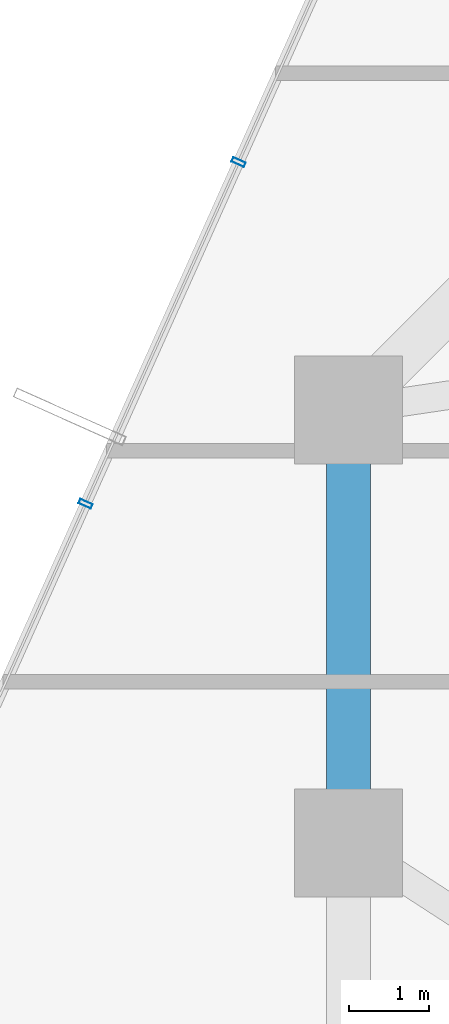
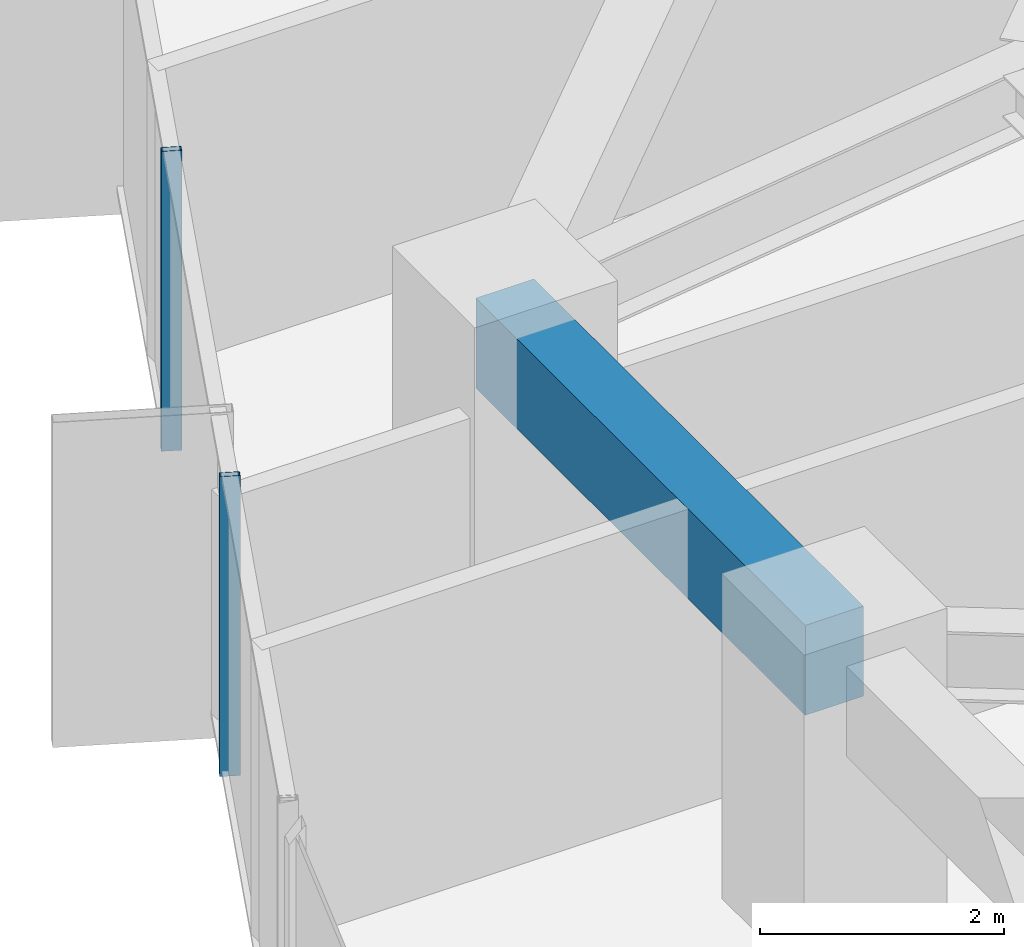
# One storey, part 12 of 37: 2 members, 1 beam, 1 element without a shape of its own.
"""IFC4 building model written with IfcOpenShell, lengths in metres."""

import ifcopenshell
import ifcopenshell.guid

model = None  # the IFC model being written
_history = None  # IfcOwnerHistory: only IFC2X3 demands one
_inside = {}  # id of a spatial element -> (the spatial element, [elements in it])
_under = {}  # id of a project, library or spatial element -> (it, [spatial elements below it])
_declared = {}  # id of a project -> (the project, [libraries it declares])
_typed = {}  # id of a type object -> (the type object, [elements of that type])
_made_of = {}  # id of a material, layer set ... -> (it, [elements and type objects made of it])


def new_model(schema):
    """Start an empty IFC model of exactly this schema.

    Asked for "IFC4X3", IfcOpenShell would pick the latest addendum, in which some entities
    have other attributes; the version numbers below select the first issue.
    IFC2X3 requires an IfcOwnerHistory on every rooted entity: one is made here for all.
    """
    global model, _history
    if schema == "IFC4X3":
        model = ifcopenshell.file(schema_version=(4, 3, 0, 0))
    else:
        model = ifcopenshell.file(schema=schema)
    _inside.clear()
    _under.clear()
    _declared.clear()
    _typed.clear()
    _made_of.clear()
    _history = None
    if model.schema == "IFC2X3":
        org = make("IfcOrganization", Name="unknown")
        user = make(
            "IfcPersonAndOrganization",
            ThePerson=make("IfcPerson", FamilyName="unknown"),
            TheOrganization=org,
        )
        app = make(
            "IfcApplication",
            ApplicationDeveloper=org,
            Version="unknown",
            ApplicationFullName="unknown",
            ApplicationIdentifier="unknown",
        )
        _history = make(
            "IfcOwnerHistory",
            OwningUser=user,
            OwningApplication=app,
            ChangeAction="ADDED",
            CreationDate=0,
        )
    return model


def make(cls, **values):
    """One entity of the class cls with the attributes given. An attribute that is None is left unset."""
    return model.create_entity(
        cls, **{name: value for name, value in values.items() if value is not None}
    )


def rooted(cls, **values):
    """An entity with a GlobalId (a new one), such as an element, a storey or a relation."""
    return make(cls, GlobalId=ifcopenshell.guid.new(), OwnerHistory=_history, **values)


def si_unit(unit_type, name, prefix=None):
    """IfcSIUnit, for example si_unit("LENGTHUNIT", "METRE", prefix="MILLI")."""
    return make("IfcSIUnit", UnitType=unit_type, Prefix=prefix, Name=name)


def assignment(units):
    """IfcUnitAssignment: the units of a project."""
    return None if units is None else make("IfcUnitAssignment", Units=units)


def point(xyz):
    """IfcCartesianPoint."""
    return None if xyz is None else make("IfcCartesianPoint", Coordinates=xyz)


def direction(xyz):
    """IfcDirection."""
    return None if xyz is None else make("IfcDirection", DirectionRatios=xyz)


def frame(location, z_axis=None, x_axis=None):
    """IfcAxis2Placement3D, a coordinate frame: its origin and axes. An axis left out is left unset."""
    return make(
        "IfcAxis2Placement3D",
        Location=point(location),
        Axis=direction(z_axis),
        RefDirection=direction(x_axis),
    )


def frame_2d(location, x_axis=None):
    """IfcAxis2Placement2D, a coordinate frame in the plane: its origin and x axis."""
    return make(
        "IfcAxis2Placement2D", Location=point(location), RefDirection=direction(x_axis)
    )


def origin():
    """The frame at (0, 0, 0) with its axes left unset."""
    return frame((0.0, 0.0, 0.0))


def origin_2d():
    """The frame at (0, 0) in the plane with its x axis left unset."""
    return frame_2d((0.0, 0.0))


def place(relative_to, where):
    """IfcLocalPlacement: puts the frame where relative to a parent placement (None: the world)."""
    return make(
        "IfcLocalPlacement", PlacementRelTo=relative_to, RelativePlacement=where
    )


def context(
    kind, dimensions, precision=None, world=None, true_north=None, identifier=None
):
    """IfcGeometricRepresentationContext, for example the 3D "Model" context."""
    return make(
        "IfcGeometricRepresentationContext",
        ContextIdentifier=identifier,
        ContextType=kind,
        CoordinateSpaceDimension=dimensions,
        Precision=precision,
        WorldCoordinateSystem=world,
        TrueNorth=true_north,
    )


def subcontext(parent, identifier, kind, view, scale=None):
    """IfcGeometricRepresentationSubContext, for example "Body" below "Model"."""
    return make(
        "IfcGeometricRepresentationSubContext",
        ContextIdentifier=identifier,
        ContextType=kind,
        ParentContext=parent,
        TargetScale=scale,
        TargetView=view,
    )


def project(units=None, contexts=None):
    """IfcProject with its units and contexts."""
    return rooted(
        "IfcProject",
        Name="project",
        RepresentationContexts=contexts,
        UnitsInContext=assignment(units),
    )


def spatial(cls, under=None, at=None, **own):
    """A site, building, storey or space (cls), placed at a placement, below another one or the project."""
    s = rooted(cls, ObjectPlacement=at, **own)
    if under is not None:
        _under.setdefault(under.id(), (under, []))[1].append(s)
    return s


def profile(cls, at=None, kind="AREA", **sizes):
    """A parametric profile (cls). Its sizes go by their IFC names, for example OverallWidth=200.0."""
    return make(cls, ProfileType=kind, Position=at, **sizes)


def rectangle(**sizes):
    """IfcRectangleProfileDef."""
    return profile("IfcRectangleProfileDef", **sizes)


def hollow_rectangle(**sizes):
    """IfcRectangleHollowProfileDef."""
    return profile("IfcRectangleHollowProfileDef", **sizes)


def extrude(swept, where, along, depth):
    """IfcExtrudedAreaSolid: the profile swept, set in the frame where, extruded along a direction by depth."""
    return make(
        "IfcExtrudedAreaSolid",
        SweptArea=swept,
        Position=where,
        ExtrudedDirection=direction(along),
        Depth=depth,
    )


def shape(context_of_items, identifier, shape_type, items):
    """IfcShapeRepresentation: the items that make up one representation, for example the "Body"."""
    return make(
        "IfcShapeRepresentation",
        ContextOfItems=context_of_items,
        RepresentationIdentifier=identifier,
        RepresentationType=shape_type,
        Items=items,
    )


def source(mapping_origin, context_of_items, identifier, shape_type, items):
    """IfcRepresentationMap: a shape defined once, which mapped items show again and again."""
    return make(
        "IfcRepresentationMap",
        MappingOrigin=mapping_origin,
        MappedRepresentation=shape(context_of_items, identifier, shape_type, items),
    )


def transform(
    local_origin,
    x_axis=None,
    y_axis=None,
    z_axis=None,
    scale=None,
    scale2=None,
    scale3=None,
    uniform=True,
):
    """IfcCartesianTransformationOperator3D, or its non-uniform kind. x_axis, y_axis, z_axis: its Axis1, 2, 3."""
    if uniform:
        return make(
            "IfcCartesianTransformationOperator3D",
            Axis1=direction(x_axis),
            Axis2=direction(y_axis),
            LocalOrigin=point(local_origin),
            Scale=scale,
            Axis3=direction(z_axis),
        )
    return make(
        "IfcCartesianTransformationOperator3DnonUniform",
        Axis1=direction(x_axis),
        Axis2=direction(y_axis),
        LocalOrigin=point(local_origin),
        Scale=scale,
        Axis3=direction(z_axis),
        Scale2=scale2,
        Scale3=scale3,
    )


def mapped(mapping_source, mapping_target):
    """IfcMappedItem: shows the shape of a source again, moved by a transform."""
    return make(
        "IfcMappedItem", MappingSource=mapping_source, MappingTarget=mapping_target
    )


def material(Name=None, Category=None):
    """IfcMaterial."""
    return make("IfcMaterial", Name=Name, Category=Category)


def layer(
    of_material, thickness, ventilated=None, Name=None, Category=None, Priority=None
):
    """IfcMaterialLayer: one layer of a wall or slab, of a material (None: an air gap)."""
    return make(
        "IfcMaterialLayer",
        Material=of_material,
        LayerThickness=thickness,
        IsVentilated=ventilated,
        Name=Name,
        Category=Category,
        Priority=Priority,
    )


def layer_set(layers, Name=None):
    """IfcMaterialLayerSet."""
    return make("IfcMaterialLayerSet", MaterialLayers=layers, LayerSetName=Name)


def material_profile(
    of_material, cross_section, Name=None, Category=None, Priority=None
):
    """IfcMaterialProfile: a cross section and its material."""
    return make(
        "IfcMaterialProfile",
        Name=Name,
        Material=of_material,
        Profile=cross_section,
        Priority=Priority,
        Category=Category,
    )


def profile_set(profiles, Name=None, composite=None):
    """IfcMaterialProfileSet."""
    return make(
        "IfcMaterialProfileSet",
        Name=Name,
        MaterialProfiles=profiles,
        CompositeProfile=composite,
    )


def made_of(thing, what):
    """Note that an element or type object is made of a material, layer set ...; save() writes the relation."""
    if what is not None:
        _made_of.setdefault(what.id(), (what, []))[1].append(thing)
    return thing


def type_object(cls, material=None, **own):
    """A type object (cls), such as IfcWallType, which elements share."""
    return made_of(rooted(cls, **own), material)


def element(
    cls,
    number,
    at=None,
    inside=None,
    cuts=None,
    type_object=None,
    material=None,
    context=None,
    identifier="Body",
    shape_type=None,
    held_by="IfcProductDefinitionShape",
    body=None,
    shapes=None,
    **own,
):
    """One element of the class cls, such as IfcWall. Its Tag is "e" and its number.

    at: its placement. inside: the storey or other place that contains it. cuts: it is an
    opening in that element (IfcRelVoidsElement). A single representation is given by context,
    identifier, shape_type and body (its items); several are given by shapes. held_by: the class
    of the entity that holds the representations. save() writes the other relations.
    """
    e = rooted(cls, Tag="e%d" % number, ObjectPlacement=at, **own)
    if body is not None:
        shapes = [shape(context, identifier, shape_type, body)]
    if shapes is not None:
        e.Representation = make(held_by, Representations=shapes)
    if inside is not None:
        _inside.setdefault(inside.id(), (inside, []))[1].append(e)
    if cuts is not None:
        rooted(
            "IfcRelVoidsElement", RelatingBuildingElement=cuts, RelatedOpeningElement=e
        )
    if type_object is not None:
        _typed.setdefault(type_object.id(), (type_object, []))[1].append(e)
    return made_of(e, material)


def aggregate(whole, parts):
    """IfcRelAggregates: a whole, such as a stair, and the parts it consists of."""
    return rooted("IfcRelAggregates", RelatingObject=whole, RelatedObjects=parts)


def save(model, path):
    """Write the relations noted so far, then the file.

    IfcRelAggregates (storeys below a building ...), IfcRelContainedInSpatialStructure (elements
    in a storey), IfcRelDefinesByType, IfcRelAssociatesMaterial and IfcRelDeclares: one each for
    every whole, place, type object, material and project.
    """
    for whole, parts in _under.values():
        aggregate(whole, parts)
    for where, things in _inside.values():
        rooted(
            "IfcRelContainedInSpatialStructure",
            RelatedElements=things,
            RelatingStructure=where,
        )
    for kind, things in _typed.values():
        rooted("IfcRelDefinesByType", RelatedObjects=things, RelatingType=kind)
    for what, things in _made_of.values():
        rooted("IfcRelAssociatesMaterial", RelatedObjects=things, RelatingMaterial=what)
    for by, libraries in _declared.values():
        rooted("IfcRelDeclares", RelatingContext=by, RelatedDefinitions=libraries)
    model.write(path)


model = new_model("IFC4")

# Units and contexts
model_context = context("Model", 3, precision=1e-05, world=origin(), true_north=direction((0.0, 1.0)))
body_context = subcontext(model_context, "Body", "Model", "MODEL_VIEW")
ifc_project = project(units=[si_unit("LENGTHUNIT", "METRE"), si_unit("AREAUNIT", "SQUARE_METRE"), si_unit("VOLUMEUNIT", "CUBIC_METRE"), si_unit("PLANEANGLEUNIT", "RADIAN"), si_unit("MASSUNIT", "GRAM", prefix="KILO")], contexts=[model_context])

# Site, building, storey
site_placement = place(None, origin())
site = spatial("IfcSite", under=ifc_project, at=site_placement, CompositionType="ELEMENT")
building_placement = place(site_placement, origin())
building = spatial("IfcBuilding", under=site, at=building_placement, Name="Veraguas Prism Commons", CompositionType="ELEMENT")
storey_placement = place(building_placement, frame((0.0, 0.0, 43.550048828125)))
storey = spatial("IfcBuildingStorey", under=building, at=storey_placement, Name="L11", CompositionType="ELEMENT", Elevation=43.550048828125)

# Beam
ifc_material_1 = material(Name="Concrete C50/60", Category="concrete")
ifc_material_profile_1 = material_profile(ifc_material_1, rectangle(XDim=0.550048828125, YDim=0.89990234375, at=origin_2d()), Name="RC550X900")
ifc_profile_set_1 = profile_set([ifc_material_profile_1], Name="Concrete C50/60")
beam_type = type_object("IfcBeamType", Name="Perimeter Spandrel Lower RC 550x900", PredefinedType="SPANDREL", material=ifc_profile_set_1)
beam_placement = place(storey_placement, frame((6.39990234375, 29.39990234375, 2.550048828125), z_axis=(0.0, -1.0, 0.0), x_axis=(1.0, 0.0, 0.0)))
element("IfcBeam", 1, at=beam_placement, inside=storey, type_object=beam_type, Name="Perimeter Spandrel Beam L11-SP07", PredefinedType="SPANDREL", context=body_context, shape_type="SweptSolid", body=[
    extrude(rectangle(XDim=0.550048828125, YDim=0.89990234375, at=origin_2d()), origin(), (0.0, 0.0, 1.0), 5.39990234375),
])

# Curtain wall, members
ifc_material_2 = material(Name="Anodised aluminium EN AW-6063 T6", Category="aluminium")
ifc_layer = layer(ifc_material_2, 0.169921875, Name="Unitised Flush Curtain Wall Zone 1", Category="aluminium")
ifc_layer_set = layer_set([ifc_layer], Name="Anodised aluminium EN AW-6063 T6")
curtain_wall_type = type_object("IfcCurtainWallType", Name="Unitised Flush Curtain Wall Zone 1", PredefinedType="NOTDEFINED", material=ifc_layer_set)
curtain_wall_placement = place(storey_placement, origin())
curtain_wall = element("IfcCurtainWall", 2, at=curtain_wall_placement, inside=storey, type_object=curtain_wall_type, Name="Tower Facade Curtain Wall L11-F3", PredefinedType="NOTDEFINED")
ifc_material_profile_2 = material_profile(ifc_material_2, hollow_rectangle(XDim=0.06005859375, YDim=0.169921875, WallThickness=0.00390625, at=origin_2d()), Name="AL60X170X4")
ifc_profile_set_2 = profile_set([ifc_material_profile_2], Name="Anodised aluminium EN AW-6063 T6")
member_type = type_object("IfcMemberType", Name="Curtain Wall Mullion Lower AL 60x170x4", PredefinedType="MULLION", material=ifc_profile_set_2)
shared_shape = source(origin(), body_context, "Body", "SweptSolid", [
    extrude(hollow_rectangle(XDim=0.06005859375, YDim=0.169921875, WallThickness=0.00390625, at=origin_2d()), origin(), (0.0, 0.0, 1.0), 3.0),
])
member_1_placement = place(storey_placement, frame((5.030029296875, 32.49365234375, 0.0), z_axis=(0.0, 0.0, 1.0), x_axis=(-0.408649074736, -0.912691587404, 0.0)))
member_1 = element("IfcMember", 3, at=member_1_placement, type_object=member_type, Name="CW-Z1 Mullion 3", PredefinedType="MULLION", context=body_context, shape_type="MappedRepresentation", body=[
    mapped(shared_shape, transform((0.0, 0.0, 0.0), scale=1.0)),
])
member_2_placement = place(storey_placement, frame((3.121337890625, 28.23046875, 0.0), z_axis=(0.0, 0.0, 1.0), x_axis=(-0.408649074736, -0.912691587404, 0.0)))
member_2 = element("IfcMember", 4, at=member_2_placement, type_object=member_type, Name="CW-Z1 Mullion 4", PredefinedType="MULLION", context=body_context, shape_type="MappedRepresentation", body=[
    mapped(shared_shape, transform((0.0, 0.0, 0.0), scale=1.0)),
])
aggregate(curtain_wall, [member_1, member_2])

save(model, "model.ifc")
